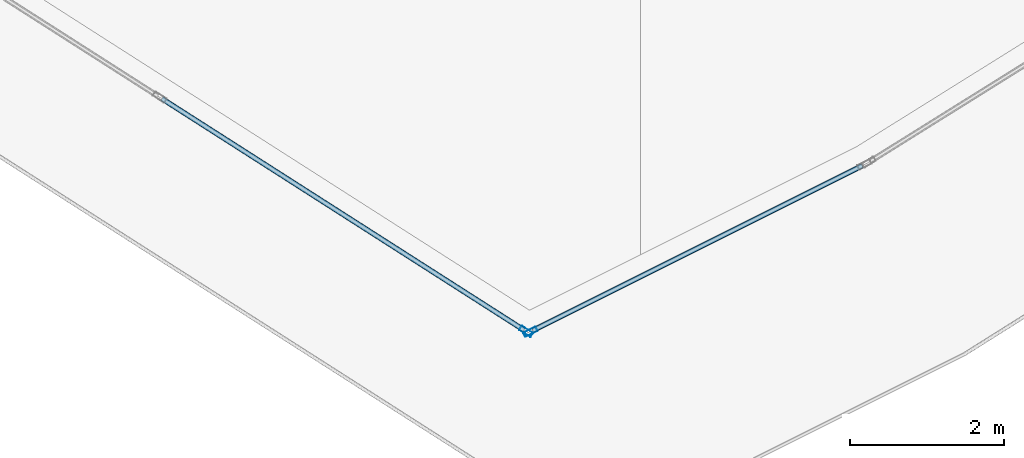
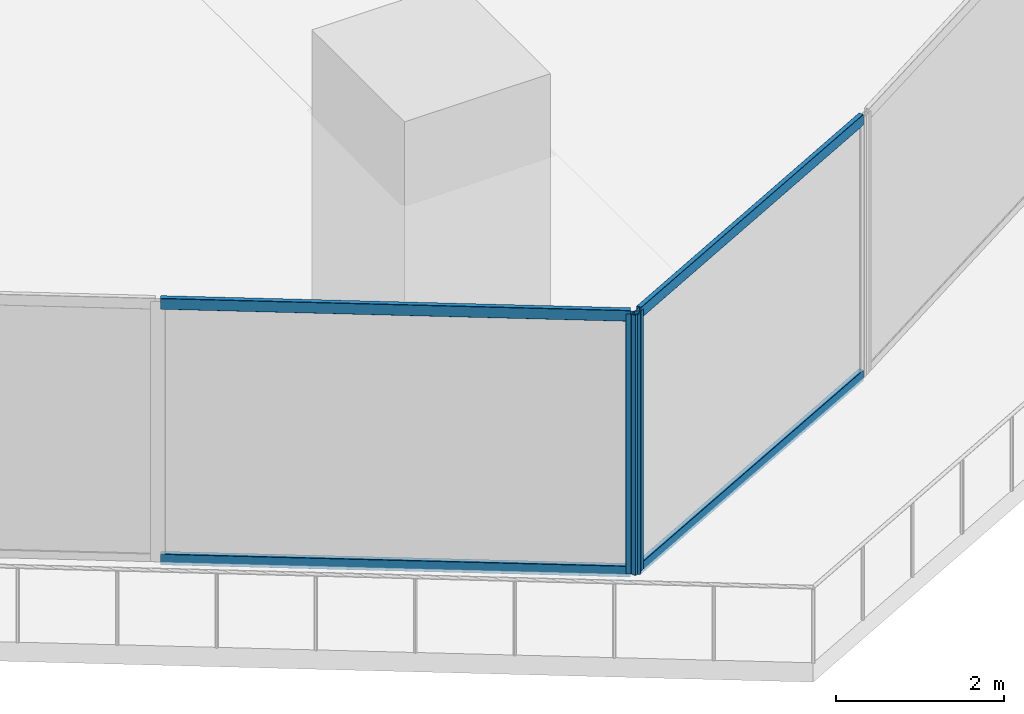
# One storey, part 8 of 42: 6 members, 2 elements without a shape of their own.
"""IFC4 building model written with IfcOpenShell, lengths in metres."""

from ifc_helpers import new_model, si_unit, direction, frame, origin, origin_2d, place, context, subcontext, project, spatial, hollow_rectangle, extrude, material, layer, layer_set, material_profile, profile_set, type_object, element, aggregate, save


model = new_model("IFC4")

# Units and contexts
model_context = context("Model", 3, precision=1e-05, world=origin(), true_north=direction((0.0, 1.0)))
body_context = subcontext(model_context, "Body", "Model", "MODEL_VIEW")
ifc_project = project(units=[si_unit("LENGTHUNIT", "METRE"), si_unit("AREAUNIT", "SQUARE_METRE"), si_unit("VOLUMEUNIT", "CUBIC_METRE"), si_unit("PLANEANGLEUNIT", "RADIAN"), si_unit("MASSUNIT", "GRAM", prefix="KILO")], contexts=[model_context])

# Site, building, storey
site_placement = place(None, origin())
site = spatial("IfcSite", under=ifc_project, at=site_placement, CompositionType="ELEMENT")
building_placement = place(site_placement, origin())
building = spatial("IfcBuilding", under=site, at=building_placement, Name="Qorvath Tower", CompositionType="ELEMENT")
storey_placement = place(building_placement, frame((0.0, 0.0, 121.949951171875)))
storey = spatial("IfcBuildingStorey", under=building, at=storey_placement, Name="L27", CompositionType="ELEMENT", Elevation=121.949951171875)

# Curtain wall, member
ifc_material_1 = material(Name="Anodised aluminium and triple low-E glass", Category="aluminium")
ifc_layer = layer(ifc_material_1, 0.179931640625)
ifc_layer_set = layer_set([ifc_layer], Name="CW-SYS-2")
curtain_wall_type = type_object("IfcCurtainWallType", Name="CW-SYS-2", PredefinedType="NOTDEFINED", material=ifc_layer_set)
curtain_wall_1_placement = place(storey_placement, origin())
curtain_wall_1 = element("IfcCurtainWall", 1, at=curtain_wall_1_placement, inside=storey, type_object=curtain_wall_type, Name="Curtain Wall CW-2 CW-T-L27-2.2", PredefinedType="NOTDEFINED")
ifc_material_2 = material(Name="Anodised aluminium 6063-T6", Category="aluminium")
ifc_material_profile_1 = material_profile(ifc_material_2, hollow_rectangle(XDim=0.06494140625, YDim=0.179931640625, WallThickness=0.00341796875, InnerFilletRadius=0.00341796875, OuterFilletRadius=0.007080078125, at=origin_2d()), Name="CWM 180x65")
ifc_profile_set_1 = profile_set([ifc_material_profile_1], Name="Anodised aluminium 6063-T6")
member_type_1 = type_object("IfcMemberType", Name="CWM-180", PredefinedType="MULLION", material=ifc_profile_set_1)
member_1_placement = place(storey_placement, frame((-15.76416015625, -30.772216796875, 0.0), z_axis=(0.0, 0.0, 1.0), x_axis=(0.538536165559, 0.84260239638, 0.0)))
member_1 = element("IfcMember", 2, at=member_1_placement, type_object=member_type_1, Name="CW-2 mullion 5", PredefinedType="MULLION", context=body_context, shape_type="SweptSolid", body=[
    extrude(hollow_rectangle(XDim=0.06494140625, YDim=0.179931640625, WallThickness=0.00341796875, InnerFilletRadius=0.00341796875, OuterFilletRadius=0.007080078125, at=origin_2d()), origin(), (0.0, 0.0, 1.0), 3.77001953125),
])

curtain_wall_2_placement = place(storey_placement, origin())
curtain_wall_2 = element("IfcCurtainWall", 3, at=curtain_wall_2_placement, inside=storey, type_object=curtain_wall_type, Name="Curtain Wall CW-2 CW-T-L27-3.1", PredefinedType="NOTDEFINED")
member_2_placement = place(storey_placement, frame((-15.707763671875, -30.775146484375, 0.0), z_axis=(0.0, 0.0, 1.0), x_axis=(-0.447262398188, 0.894402787992, 0.0)))
member_2 = element("IfcMember", 4, at=member_2_placement, type_object=member_type_1, Name="CW-2 mullion 1", PredefinedType="MULLION", context=body_context, shape_type="SweptSolid", body=[
    extrude(hollow_rectangle(XDim=0.06494140625, YDim=0.179931640625, WallThickness=0.00341796875, InnerFilletRadius=0.00341796875, OuterFilletRadius=0.007080078125, at=origin_2d()), origin(), (0.0, 0.0, 1.0), 3.77001953125),
])

# Member
ifc_material_3 = material(Name="Anodised aluminium 6063-T6", Category="aluminium")
ifc_material_profile_2 = material_profile(ifc_material_3, hollow_rectangle(XDim=0.06494140625, YDim=0.159912109375, WallThickness=0.00341796875, InnerFilletRadius=0.00341796875, OuterFilletRadius=0.007080078125, at=origin_2d()), Name="CWT 160x65")
ifc_profile_set_2 = profile_set([ifc_material_profile_2], Name="Anodised aluminium 6063-T6")
member_type_2 = type_object("IfcMemberType", Name="CWT-160", PredefinedType="USERDEFINED", material=ifc_profile_set_2)
member_3_placement = place(storey_placement, frame((-20.49560546875, -27.748046875, 0.032470703125), z_axis=(0.842599248295, -0.538541091071, 0.0), x_axis=(0.538541091071, 0.842599248295, 0.0)))
member_3 = element("IfcMember", 5, at=member_3_placement, type_object=member_type_2, Name="CW-2 transom 4.1", ObjectType="TRANSOM", PredefinedType="USERDEFINED", context=body_context, shape_type="SweptSolid", body=[
    extrude(hollow_rectangle(XDim=0.06494140625, YDim=0.159912109375, WallThickness=0.00341796875, InnerFilletRadius=0.00341796875, OuterFilletRadius=0.007080078125, at=origin_2d()), origin(), (0.0, 0.0, 1.0), 5.582763671875),
])

member_4_placement = place(storey_placement, frame((-20.49560546875, -27.748046875, 3.737548828125), z_axis=(0.842599248295, -0.538541091071, 0.0), x_axis=(0.538541091071, 0.842599248295, 0.0)))
member_4 = element("IfcMember", 6, at=member_4_placement, type_object=member_type_2, Name="CW-2 transom 4.2", ObjectType="TRANSOM", PredefinedType="USERDEFINED", context=body_context, shape_type="SweptSolid", body=[
    extrude(hollow_rectangle(XDim=0.06494140625, YDim=0.159912109375, WallThickness=0.00341796875, InnerFilletRadius=0.00341796875, OuterFilletRadius=0.007080078125, at=origin_2d()), origin(), (0.0, 0.0, 1.0), 5.582763671875),
])

aggregate(curtain_wall_1, [member_1, member_3, member_4])

member_5_placement = place(storey_placement, frame((-15.6787109375, -30.760498046875, 0.032470703125), z_axis=(0.894406793107, 0.447254388959, 0.0), x_axis=(-0.447254388959, 0.894406793107, 0.0)))
member_5 = element("IfcMember", 7, at=member_5_placement, type_object=member_type_2, Name="CW-2 transom 1.1", ObjectType="TRANSOM", PredefinedType="USERDEFINED", context=body_context, shape_type="SweptSolid", body=[
    extrude(hollow_rectangle(XDim=0.06494140625, YDim=0.159912109375, WallThickness=0.00341796875, InnerFilletRadius=0.00341796875, OuterFilletRadius=0.007080078125, at=origin_2d()), origin(), (0.0, 0.0, 1.0), 4.787841796875),
])

member_6_placement = place(storey_placement, frame((-15.6787109375, -30.760498046875, 3.737548828125), z_axis=(0.894406793107, 0.447254388959, 0.0), x_axis=(-0.447254388959, 0.894406793107, 0.0)))
member_6 = element("IfcMember", 8, at=member_6_placement, type_object=member_type_2, Name="CW-2 transom 1.2", ObjectType="TRANSOM", PredefinedType="USERDEFINED", context=body_context, shape_type="SweptSolid", body=[
    extrude(hollow_rectangle(XDim=0.06494140625, YDim=0.159912109375, WallThickness=0.00341796875, InnerFilletRadius=0.00341796875, OuterFilletRadius=0.007080078125, at=origin_2d()), origin(), (0.0, 0.0, 1.0), 4.787841796875),
])

aggregate(curtain_wall_2, [member_2, member_5, member_6])

save(model, "model.ifc")
